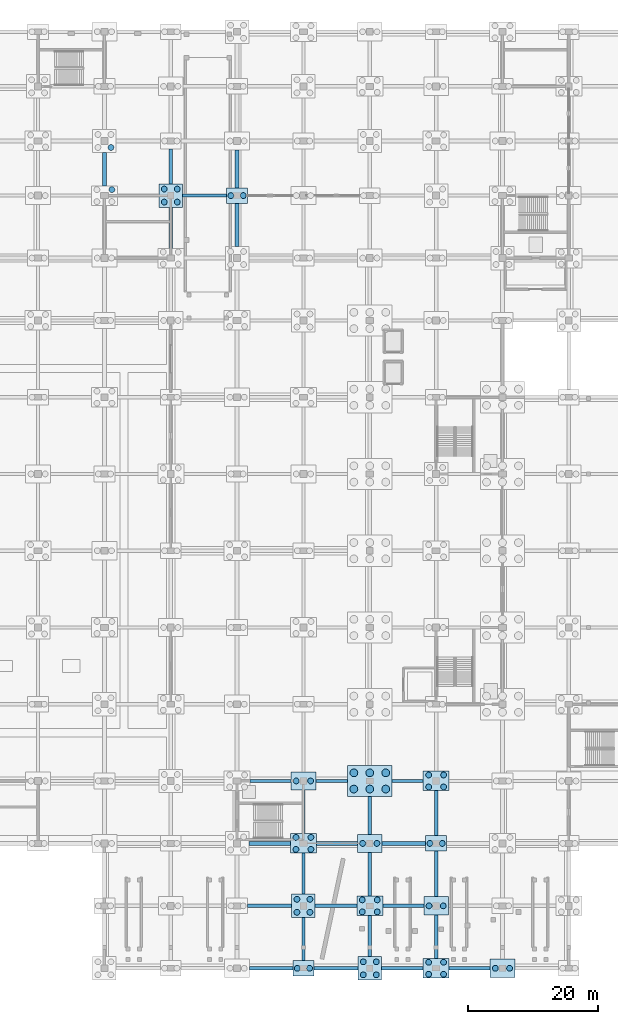
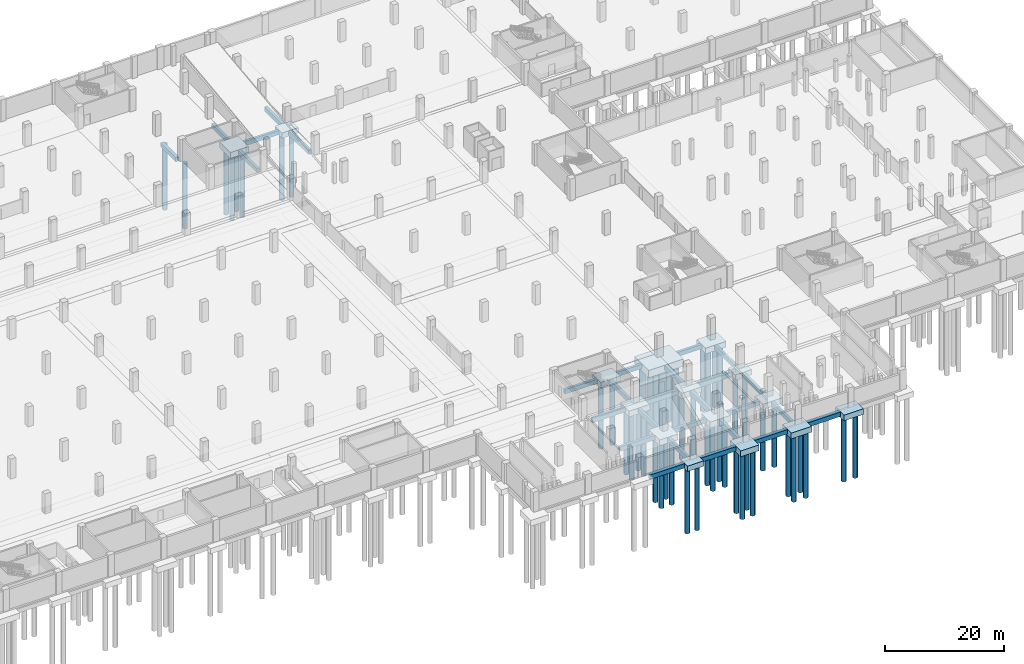
# One storey, part 10 of 52: 50 piles, 43 footings.
"""IFC4 building model written with IfcOpenShell, lengths in metres."""

from ifc_helpers import new_model, si_unit, direction, frame, origin, origin_2d, place, context, subcontext, project, spatial, polyline, rectangle, circle, outline, extrude, material, material_profile, profile_set, type_object, element, save


model = new_model("IFC4")

# Units and contexts
model_context = context("Model", 3, precision=1e-05, world=origin(), true_north=direction((0.0, 1.0)))
body_context = subcontext(model_context, "Body", "Model", "MODEL_VIEW")
ifc_project = project(units=[si_unit("LENGTHUNIT", "METRE"), si_unit("AREAUNIT", "SQUARE_METRE"), si_unit("VOLUMEUNIT", "CUBIC_METRE"), si_unit("PLANEANGLEUNIT", "RADIAN"), si_unit("MASSUNIT", "GRAM", prefix="KILO")], contexts=[model_context])

# Site, building, storey
site_placement = place(None, origin())
site = spatial("IfcSite", under=ifc_project, at=site_placement, CompositionType="ELEMENT")
building_placement = place(site_placement, origin())
building = spatial("IfcBuilding", under=site, at=building_placement, Name="Brelvane Convention Centre", CompositionType="ELEMENT")
storey_placement = place(building_placement, frame((0.0, 0.0, -4.5)))
storey = spatial("IfcBuildingStorey", under=building, at=storey_placement, Name="B1", CompositionType="ELEMENT", Elevation=-4.5)

# Piles
ifc_material_1 = material(Name="Concrete M40", Category="concrete")
ifc_material_profile_1 = material_profile(ifc_material_1, circle(Radius=0.60009765625, at=origin_2d()), Name="PILE D1200")
ifc_profile_set_1 = profile_set([ifc_material_profile_1], Name="Concrete M40")
pile_type_1 = type_object("IfcPileType", Name="Bored Pile PL-1200", PredefinedType="BORED", material=ifc_profile_set_1)
for number, where, z_axis, x_axis, name in (
    (1, (140.35009765625, 27.550048828125, -1.85009765625), (0.0, 0.0, -1.0), (1.0, 0.0, 0.0), "Bored Pile PL-1200 15-D-1"),
    (2, (142.800048828125, 27.550048828125, -1.85009765625), (0.0, 0.0, -1.0), (1.0, 0.0, 0.0), "Bored Pile PL-1200 15-D-2"),
    (3, (145.25, 27.550048828125, -1.85009765625), (0.0, 0.0, -1.0), (1.0, 0.0, 0.0), "Bored Pile PL-1200 15-D-3"),
    (4, (140.35009765625, 30.050048828125, -1.85009765625), (0.0, 0.0, -1.0), (1.0, 0.0, 0.0), "Bored Pile PL-1200 15-D-4"),
    (5, (142.800048828125, 30.050048828125, -1.85009765625), (0.0, 0.0, -1.0), (1.0, 0.0, 0.0), "Bored Pile PL-1200 15-D-5"),
    (6, (145.25, 30.050048828125, -1.85009765625), (0.0, 0.0, -1.0), (1.0, 0.0, 0.0), "Bored Pile PL-1200 15-D-6"),
):
    element("IfcPile", number, at=place(storey_placement, frame(where, z_axis=z_axis, x_axis=x_axis)), inside=storey, type_object=pile_type_1, Name=name, PredefinedType="BORED", context=body_context, shape_type="SweptSolid", body=[
        extrude(circle(Radius=0.60009765625, at=origin_2d()), origin(), (0.0, 0.0, 1.0), 13.14990234375),
    ])
ifc_material_2 = material(Name="Concrete M40", Category="concrete")
ifc_material_profile_2 = material_profile(ifc_material_2, circle(Radius=0.449951171875, at=origin_2d()), Name="PILE D900")
ifc_profile_set_2 = profile_set([ifc_material_profile_2], Name="Concrete M40")
pile_type_2 = type_object("IfcPileType", Name="Bored Pile PL-900", PredefinedType="BORED", material=ifc_profile_set_2)
for number, where, z_axis, x_axis, name in (
    (7, (103.14990234375, 119.719970703125, -1.550048828125), (0.0, 0.0, -1.0), (1.0, 0.0, 0.0), "Bored Pile PL-900 11-M-4"),
    (8, (103.0, 126.199951171875, -1.550048828125), (0.0, 0.0, -1.0), (1.0, 0.0, 0.0), "Bored Pile PL-900 11-N-2"),
    (9, (111.199951171875, 117.800048828125, -1.550048828125), (0.0, 0.0, -1.0), (1.0, 0.0, 0.0), "Bored Pile PL-900 12-M-1"),
    (10, (113.199951171875, 117.800048828125, -1.550048828125), (0.0, 0.0, -1.0), (1.0, 0.0, 0.0), "Bored Pile PL-900 12-M-2"),
    (11, (111.199951171875, 119.800048828125, -1.550048828125), (0.0, 0.0, -1.0), (1.0, 0.0, 0.0), "Bored Pile PL-900 12-M-3"),
    (12, (113.199951171875, 119.800048828125, -1.550048828125), (0.0, 0.0, -1.0), (1.0, 0.0, 0.0), "Bored Pile PL-900 12-M-4"),
):
    element("IfcPile", number, at=place(storey_placement, frame(where, z_axis=z_axis, x_axis=x_axis)), inside=storey, type_object=pile_type_2, Name=name, PredefinedType="BORED", context=body_context, shape_type="SweptSolid", body=[
        extrude(circle(Radius=0.449951171875, at=origin_2d()), origin(), (0.0, 0.0, 1.0), 13.449951171875),
    ])
for number, where, z_axis, x_axis, name in (
    (13, (121.449951171875, 118.800048828125, -1.449951171875), (0.0, 0.0, -1.0), (1.0, 0.0, 0.0), "Bored Pile PL-900 13-M-1"),
    (14, (123.35009765625, 118.800048828125, -1.449951171875), (0.0, 0.0, -1.0), (1.0, 0.0, 0.0), "Bored Pile PL-900 13-M-2"),
    (15, (131.64990234375, 0.0, -1.449951171875), (0.0, 0.0, -1.0), (1.0, 0.0, 0.0), "Bored Pile PL-900 14-A-1"),
    (16, (133.550048828125, 0.0, -1.449951171875), (0.0, 0.0, -1.0), (1.0, 0.0, 0.0), "Bored Pile PL-900 14-A-2"),
):
    element("IfcPile", number, at=place(storey_placement, frame(where, z_axis=z_axis, x_axis=x_axis)), inside=storey, type_object=pile_type_2, Name=name, PredefinedType="BORED", context=body_context, shape_type="SweptSolid", body=[
        extrude(circle(Radius=0.449951171875, at=origin_2d()), origin(), (0.0, 0.0, 1.0), 13.550048828125),
    ])
for number, where, z_axis, x_axis, name in (
    (17, (131.60009765625, 8.60009765625, -1.550048828125), (0.0, 0.0, -1.0), (1.0, 0.0, 0.0), "Bored Pile PL-900 14-B-1"),
    (18, (133.60009765625, 8.60009765625, -1.550048828125), (0.0, 0.0, -1.0), (1.0, 0.0, 0.0), "Bored Pile PL-900 14-B-2"),
    (19, (131.60009765625, 10.60009765625, -1.550048828125), (0.0, 0.0, -1.0), (1.0, 0.0, 0.0), "Bored Pile PL-900 14-B-3"),
    (20, (133.60009765625, 10.60009765625, -1.550048828125), (0.0, 0.0, -1.0), (1.0, 0.0, 0.0), "Bored Pile PL-900 14-B-4"),
    (21, (131.449951171875, 18.280029296875, -1.550048828125), (0.0, 0.0, -1.0), (1.0, 0.0, 0.0), "Bored Pile PL-900 14-C-1"),
    (22, (133.75, 18.280029296875, -1.550048828125), (0.0, 0.0, -1.0), (1.0, 0.0, 0.0), "Bored Pile PL-900 14-C-2"),
    (23, (131.449951171875, 20.1201171875, -1.550048828125), (0.0, 0.0, -1.0), (1.0, 0.0, 0.0), "Bored Pile PL-900 14-C-3"),
    (24, (133.75, 20.1201171875, -1.550048828125), (0.0, 0.0, -1.0), (1.0, 0.0, 0.0), "Bored Pile PL-900 14-C-4"),
):
    element("IfcPile", number, at=place(storey_placement, frame(where, z_axis=z_axis, x_axis=x_axis)), inside=storey, type_object=pile_type_2, Name=name, PredefinedType="BORED", context=body_context, shape_type="SweptSolid", body=[
        extrude(circle(Radius=0.449951171875, at=origin_2d()), origin(), (0.0, 0.0, 1.0), 13.449951171875),
    ])
for number, where, z_axis, x_axis, name in (
    (25, (131.5, 28.800048828125, -1.5), (0.0, 0.0, -1.0), (1.0, 0.0, 0.0), "Bored Pile PL-900 14-D-1"),
    (26, (133.699951171875, 28.800048828125, -1.5), (0.0, 0.0, -1.0), (1.0, 0.0, 0.0), "Bored Pile PL-900 14-D-2"),
):
    element("IfcPile", number, at=place(storey_placement, frame(where, z_axis=z_axis, x_axis=x_axis)), inside=storey, type_object=pile_type_2, Name=name, PredefinedType="BORED", context=body_context, shape_type="SweptSolid", body=[
        extrude(circle(Radius=0.449951171875, at=origin_2d()), origin(), (0.0, 0.0, 1.0), 13.5),
    ])
for number, where, z_axis, x_axis, name in (
    (27, (141.800048828125, -1.0, -1.550048828125), (0.0, 0.0, -1.0), (1.0, 0.0, 0.0), "Bored Pile PL-900 15-A-1"),
    (28, (143.800048828125, -1.0, -1.550048828125), (0.0, 0.0, -1.0), (1.0, 0.0, 0.0), "Bored Pile PL-900 15-A-2"),
    (29, (141.800048828125, 1.0, -1.550048828125), (0.0, 0.0, -1.0), (1.0, 0.0, 0.0), "Bored Pile PL-900 15-A-3"),
    (30, (143.800048828125, 1.0, -1.550048828125), (0.0, 0.0, -1.0), (1.0, 0.0, 0.0), "Bored Pile PL-900 15-A-4"),
    (31, (141.64990234375, 8.679931640625, -1.550048828125), (0.0, 0.0, -1.0), (1.0, 0.0, 0.0), "Bored Pile PL-900 15-B-1"),
    (32, (143.949951171875, 8.679931640625, -1.550048828125), (0.0, 0.0, -1.0), (1.0, 0.0, 0.0), "Bored Pile PL-900 15-B-2"),
    (33, (141.64990234375, 10.52001953125, -1.550048828125), (0.0, 0.0, -1.0), (1.0, 0.0, 0.0), "Bored Pile PL-900 15-B-3"),
    (34, (143.949951171875, 10.52001953125, -1.550048828125), (0.0, 0.0, -1.0), (1.0, 0.0, 0.0), "Bored Pile PL-900 15-B-4"),
):
    element("IfcPile", number, at=place(storey_placement, frame(where, z_axis=z_axis, x_axis=x_axis)), inside=storey, type_object=pile_type_2, Name=name, PredefinedType="BORED", context=body_context, shape_type="SweptSolid", body=[
        extrude(circle(Radius=0.449951171875, at=origin_2d()), origin(), (0.0, 0.0, 1.0), 13.449951171875),
    ])
for number, where, z_axis, x_axis, name in (
    (35, (141.699951171875, 19.199951171875, -1.5), (0.0, 0.0, -1.0), (1.0, 0.0, 0.0), "Bored Pile PL-900 15-C-1"),
    (36, (143.89990234375, 19.199951171875, -1.5), (0.0, 0.0, -1.0), (1.0, 0.0, 0.0), "Bored Pile PL-900 15-C-2"),
):
    element("IfcPile", number, at=place(storey_placement, frame(where, z_axis=z_axis, x_axis=x_axis)), inside=storey, type_object=pile_type_2, Name=name, PredefinedType="BORED", context=body_context, shape_type="SweptSolid", body=[
        extrude(circle(Radius=0.449951171875, at=origin_2d()), origin(), (0.0, 0.0, 1.0), 13.5),
    ])
for number, where, z_axis, x_axis, name in (
    (37, (151.85009765625, -0.919921875, -1.550048828125), (0.0, 0.0, -1.0), (1.0, 0.0, 0.0), "Bored Pile PL-900 16-A-1"),
    (38, (154.14990234375, -0.919921875, -1.550048828125), (0.0, 0.0, -1.0), (1.0, 0.0, 0.0), "Bored Pile PL-900 16-A-2"),
    (39, (151.85009765625, 0.919921875, -1.550048828125), (0.0, 0.0, -1.0), (1.0, 0.0, 0.0), "Bored Pile PL-900 16-A-3"),
    (40, (154.14990234375, 0.919921875, -1.550048828125), (0.0, 0.0, -1.0), (1.0, 0.0, 0.0), "Bored Pile PL-900 16-A-4"),
):
    element("IfcPile", number, at=place(storey_placement, frame(where, z_axis=z_axis, x_axis=x_axis)), inside=storey, type_object=pile_type_2, Name=name, PredefinedType="BORED", context=body_context, shape_type="SweptSolid", body=[
        extrude(circle(Radius=0.449951171875, at=origin_2d()), origin(), (0.0, 0.0, 1.0), 13.449951171875),
    ])
for number, where, z_axis, x_axis, name in (
    (41, (151.89990234375, 9.60009765625, -1.5), (0.0, 0.0, -1.0), (1.0, 0.0, 0.0), "Bored Pile PL-900 16-B-1"),
    (42, (154.10009765625, 9.60009765625, -1.5), (0.0, 0.0, -1.0), (1.0, 0.0, 0.0), "Bored Pile PL-900 16-B-2"),
):
    element("IfcPile", number, at=place(storey_placement, frame(where, z_axis=z_axis, x_axis=x_axis)), inside=storey, type_object=pile_type_2, Name=name, PredefinedType="BORED", context=body_context, shape_type="SweptSolid", body=[
        extrude(circle(Radius=0.449951171875, at=origin_2d()), origin(), (0.0, 0.0, 1.0), 13.5),
    ])
for number, where, z_axis, x_axis, name in (
    (43, (152.050048828125, 19.199951171875, -1.449951171875), (0.0, 0.0, -1.0), (1.0, 0.0, 0.0), "Bored Pile PL-900 16-C-1"),
    (44, (153.949951171875, 19.199951171875, -1.449951171875), (0.0, 0.0, -1.0), (1.0, 0.0, 0.0), "Bored Pile PL-900 16-C-2"),
):
    element("IfcPile", number, at=place(storey_placement, frame(where, z_axis=z_axis, x_axis=x_axis)), inside=storey, type_object=pile_type_2, Name=name, PredefinedType="BORED", context=body_context, shape_type="SweptSolid", body=[
        extrude(circle(Radius=0.449951171875, at=origin_2d()), origin(), (0.0, 0.0, 1.0), 13.550048828125),
    ])
for number, where, z_axis, x_axis, name in (
    (45, (151.85009765625, 27.8798828125, -1.550048828125), (0.0, 0.0, -1.0), (1.0, 0.0, 0.0), "Bored Pile PL-900 16-D-1"),
    (46, (154.14990234375, 27.8798828125, -1.550048828125), (0.0, 0.0, -1.0), (1.0, 0.0, 0.0), "Bored Pile PL-900 16-D-2"),
    (47, (151.85009765625, 29.719970703125, -1.550048828125), (0.0, 0.0, -1.0), (1.0, 0.0, 0.0), "Bored Pile PL-900 16-D-3"),
    (48, (154.14990234375, 29.719970703125, -1.550048828125), (0.0, 0.0, -1.0), (1.0, 0.0, 0.0), "Bored Pile PL-900 16-D-4"),
):
    element("IfcPile", number, at=place(storey_placement, frame(where, z_axis=z_axis, x_axis=x_axis)), inside=storey, type_object=pile_type_2, Name=name, PredefinedType="BORED", context=body_context, shape_type="SweptSolid", body=[
        extrude(circle(Radius=0.449951171875, at=origin_2d()), origin(), (0.0, 0.0, 1.0), 13.449951171875),
    ])
for number, where, z_axis, x_axis, name in (
    (49, (162.10009765625, 0.0, -1.5), (0.0, 0.0, -1.0), (1.0, 0.0, 0.0), "Bored Pile PL-900 17-A-1"),
    (50, (164.300048828125, 0.0, -1.5), (0.0, 0.0, -1.0), (1.0, 0.0, 0.0), "Bored Pile PL-900 17-A-2"),
):
    element("IfcPile", number, at=place(storey_placement, frame(where, z_axis=z_axis, x_axis=x_axis)), inside=storey, type_object=pile_type_2, Name=name, PredefinedType="BORED", context=body_context, shape_type="SweptSolid", body=[
        extrude(circle(Radius=0.449951171875, at=origin_2d()), origin(), (0.0, 0.0, 1.0), 13.5),
    ])

# Footings
ifc_material_3 = material(Name="Concrete M40", Category="concrete")
ifc_material_profile_3 = material_profile(ifc_material_3, rectangle(XDim=0.60009765625, YDim=0.89990234375, at=origin_2d()), Name="RC 600x900")
ifc_profile_set_3 = profile_set([ifc_material_profile_3], Name="Concrete M40")
footing_type_1 = type_object("IfcFootingType", Name="Ground Tie Beam GB-1", PredefinedType="FOOTING_BEAM", material=ifc_profile_set_3)
footing_1_placement = place(storey_placement, frame((102.0, 120.300048828125, -0.89990234375), z_axis=(0.0, 1.0, 0.0), x_axis=(-1.0, 0.0, 0.0)))
element("IfcFooting", 51, at=footing_1_placement, inside=storey, type_object=footing_type_1, Name="Ground Tie Beam GB-1 11/M-N", PredefinedType="FOOTING_BEAM", context=body_context, shape_type="SweptSolid", body=[
    extrude(rectangle(XDim=0.60009765625, YDim=0.89990234375, at=origin_2d()), origin(), (0.0, 0.0, 1.0), 5.099853515625),
])
footing_2_placement = place(storey_placement, frame((124.300048828125, 0.0, -0.89990234375), z_axis=(1.0, 0.0, 0.0), x_axis=(0.0, 1.0, 0.0)))
element("IfcFooting", 52, at=footing_2_placement, inside=storey, type_object=footing_type_1, Name="Ground Tie Beam GB-1 13-14/A", PredefinedType="FOOTING_BEAM", context=body_context, shape_type="SweptSolid", body=[
    extrude(rectangle(XDim=0.60009765625, YDim=0.89990234375, at=origin_2d()), origin(), (0.0, 0.0, 1.0), 6.699951171875),
])
footing_3_placement = place(storey_placement, frame((124.199951171875, 19.199951171875, -0.89990234375), z_axis=(1.0, 0.0, 0.0), x_axis=(0.0, 1.0, 0.0)))
element("IfcFooting", 53, at=footing_3_placement, inside=storey, type_object=footing_type_1, Name="Ground Tie Beam GB-1 13-14/C", PredefinedType="FOOTING_BEAM", context=body_context, shape_type="SweptSolid", body=[
    extrude(rectangle(XDim=0.60009765625, YDim=0.89990234375, at=origin_2d()), origin(), (0.0, 0.0, 1.0), 6.400146484375),
])
footing_4_placement = place(storey_placement, frame((122.39990234375, 111.0, -0.89990234375), z_axis=(0.0, 1.0, 0.0), x_axis=(-1.0, 0.0, 0.0)))
element("IfcFooting", 54, at=footing_4_placement, inside=storey, type_object=footing_type_1, Name="Ground Tie Beam GB-1 13/L-M", PredefinedType="FOOTING_BEAM", context=body_context, shape_type="SweptSolid", body=[
    extrude(rectangle(XDim=0.60009765625, YDim=0.89990234375, at=origin_2d()), origin(), (0.0, 0.0, 1.0), 6.60009765625),
])
footing_5_placement = place(storey_placement, frame((122.39990234375, 120.0, -0.89990234375), z_axis=(0.0, 1.0, 0.0), x_axis=(-1.0, 0.0, 0.0)))
element("IfcFooting", 55, at=footing_5_placement, inside=storey, type_object=footing_type_1, Name="Ground Tie Beam GB-1 13/M-N", PredefinedType="FOOTING_BEAM", context=body_context, shape_type="SweptSolid", body=[
    extrude(rectangle(XDim=0.60009765625, YDim=0.89990234375, at=origin_2d()), origin(), (0.0, 0.0, 1.0), 5.800048828125),
])
footing_6_placement = place(storey_placement, frame((134.199951171875, 0.0, -0.89990234375), z_axis=(1.0, 0.0, 0.0), x_axis=(0.0, 1.0, 0.0)))
element("IfcFooting", 56, at=footing_6_placement, inside=storey, type_object=footing_type_1, Name="Ground Tie Beam GB-1 14-15/A", PredefinedType="FOOTING_BEAM", context=body_context, shape_type="SweptSolid", body=[
    extrude(rectangle(XDim=0.60009765625, YDim=0.89990234375, at=origin_2d()), origin(), (0.0, 0.0, 1.0), 6.800048828125),
])
footing_7_placement = place(storey_placement, frame((134.60009765625, 19.199951171875, -0.89990234375), z_axis=(1.0, 0.0, 0.0), x_axis=(0.0, 1.0, 0.0)))
element("IfcFooting", 57, at=footing_7_placement, inside=storey, type_object=footing_type_1, Name="Ground Tie Beam GB-1 14-15/C", PredefinedType="FOOTING_BEAM", context=body_context, shape_type="SweptSolid", body=[
    extrude(rectangle(XDim=0.60009765625, YDim=0.89990234375, at=origin_2d()), origin(), (0.0, 0.0, 1.0), 6.2998046875),
])
footing_8_placement = place(storey_placement, frame((144.60009765625, 0.0, -0.89990234375), z_axis=(1.0, 0.0, 0.0), x_axis=(0.0, 1.0, 0.0)))
element("IfcFooting", 58, at=footing_8_placement, inside=storey, type_object=footing_type_1, Name="Ground Tie Beam GB-1 15-16/A", PredefinedType="FOOTING_BEAM", context=body_context, shape_type="SweptSolid", body=[
    extrude(rectangle(XDim=0.60009765625, YDim=0.89990234375, at=origin_2d()), origin(), (0.0, 0.0, 1.0), 6.39990234375),
])
footing_9_placement = place(storey_placement, frame((142.800048828125, 1.800048828125, -0.89990234375), z_axis=(0.0, 1.0, 0.0), x_axis=(-1.0, 0.0, 0.0)))
element("IfcFooting", 59, at=footing_9_placement, inside=storey, type_object=footing_type_1, Name="Ground Tie Beam GB-1 15/A-B", PredefinedType="FOOTING_BEAM", context=body_context, shape_type="SweptSolid", body=[
    extrude(rectangle(XDim=0.60009765625, YDim=0.89990234375, at=origin_2d()), origin(), (0.0, 0.0, 1.0), 6.300048828125),
])
for number, where, z_axis, x_axis, name in (
    (60, (142.800048828125, 11.10009765625, -0.89990234375), (0.0, 1.0, 0.0), (-1.0, 0.0, 0.0), "Ground Tie Beam GB-1 15/B-C"),
    (61, (144.699951171875, 19.199951171875, -0.89990234375), (1.0, 0.0, 0.0), (0.0, 1.0, 0.0), "Ground Tie Beam GB-1 15-16/C"),
):
    element("IfcFooting", number, at=place(storey_placement, frame(where, z_axis=z_axis, x_axis=x_axis)), inside=storey, type_object=footing_type_1, Name=name, PredefinedType="FOOTING_BEAM", context=body_context, shape_type="SweptSolid", body=[
        extrude(rectangle(XDim=0.60009765625, YDim=0.89990234375, at=origin_2d()), origin(), (0.0, 0.0, 1.0), 6.699951171875),
    ])
footing_10_placement = place(storey_placement, frame((142.800048828125, 20.60009765625, -0.89990234375), z_axis=(0.0, 1.0, 0.0), x_axis=(-1.0, 0.0, 0.0)))
element("IfcFooting", 62, at=footing_10_placement, inside=storey, type_object=footing_type_1, Name="Ground Tie Beam GB-1 15/C-D", PredefinedType="FOOTING_BEAM", context=body_context, shape_type="SweptSolid", body=[
    extrude(rectangle(XDim=0.60009765625, YDim=0.89990234375, at=origin_2d()), origin(), (0.0, 0.0, 1.0), 5.7998046875),
])
footing_11_placement = place(storey_placement, frame((155.0, 0.0, -0.89990234375), z_axis=(1.0, 0.0, 0.0), x_axis=(0.0, 1.0, 0.0)))
element("IfcFooting", 63, at=footing_11_placement, inside=storey, type_object=footing_type_1, Name="Ground Tie Beam GB-1 16-17/A", PredefinedType="FOOTING_BEAM", context=body_context, shape_type="SweptSolid", body=[
    extrude(rectangle(XDim=0.60009765625, YDim=0.89990234375, at=origin_2d()), origin(), (0.0, 0.0, 1.0), 6.300048828125),
])
ifc_material_4 = material(Name="Concrete M40", Category="concrete")
ifc_material_profile_4 = material_profile(ifc_material_4, rectangle(XDim=0.5, YDim=0.89990234375, at=origin_2d()), Name="RC 500x900")
ifc_profile_set_4 = profile_set([ifc_material_profile_4], Name="Concrete M40")
footing_type_2 = type_object("IfcFootingType", Name="Ground Tie Beam GB-2", PredefinedType="FOOTING_BEAM", material=ifc_profile_set_4)
footing_12_placement = place(storey_placement, frame((112.199951171875, 110.699951171875, -0.89990234375), z_axis=(0.0, 1.0, 0.0), x_axis=(-1.0, 0.0, 0.0)))
element("IfcFooting", 64, at=footing_12_placement, inside=storey, type_object=footing_type_2, Name="Ground Tie Beam GB-2 12/L-M", PredefinedType="FOOTING_BEAM", context=body_context, shape_type="SweptSolid", body=[
    extrude(rectangle(XDim=0.5, YDim=0.89990234375, at=origin_2d()), origin(), (0.0, 0.0, 1.0), 6.300048828125),
])
footing_13_placement = place(storey_placement, frame((114.0, 118.800048828125, -0.89990234375), z_axis=(1.0, 0.0, 0.0), x_axis=(0.0, 1.0, 0.0)))
element("IfcFooting", 65, at=footing_13_placement, inside=storey, type_object=footing_type_2, Name="Ground Tie Beam GB-2 12-13/M", PredefinedType="FOOTING_BEAM", context=body_context, shape_type="SweptSolid", body=[
    extrude(rectangle(XDim=0.5, YDim=0.89990234375, at=origin_2d()), origin(), (0.0, 0.0, 1.0), 6.800048828125),
])
footing_14_placement = place(storey_placement, frame((112.199951171875, 120.60009765625, -0.89990234375), z_axis=(0.0, 1.0, 0.0), x_axis=(-1.0, 0.0, 0.0)))
element("IfcFooting", 66, at=footing_14_placement, inside=storey, type_object=footing_type_2, Name="Ground Tie Beam GB-2 12/M-N", PredefinedType="FOOTING_BEAM", context=body_context, shape_type="SweptSolid", body=[
    extrude(rectangle(XDim=0.5, YDim=0.89990234375, at=origin_2d()), origin(), (0.0, 0.0, 1.0), 5.39990234375),
])
footing_15_placement = place(storey_placement, frame((124.0, 9.60009765625, -0.89990234375), z_axis=(1.0, 0.0, 0.0), x_axis=(0.0, 1.0, 0.0)))
element("IfcFooting", 67, at=footing_15_placement, inside=storey, type_object=footing_type_2, Name="Ground Tie Beam GB-2 13-14/B", PredefinedType="FOOTING_BEAM", context=body_context, shape_type="SweptSolid", body=[
    extrude(rectangle(XDim=0.5, YDim=0.89990234375, at=origin_2d()), origin(), (0.0, 0.0, 1.0), 6.800048828125),
])
footing_16_placement = place(storey_placement, frame((124.39990234375, 28.800048828125, -0.89990234375), z_axis=(1.0, 0.0, 0.0), x_axis=(0.0, 1.0, 0.0)))
element("IfcFooting", 68, at=footing_16_placement, inside=storey, type_object=footing_type_2, Name="Ground Tie Beam GB-2 13-14/D", PredefinedType="FOOTING_BEAM", context=body_context, shape_type="SweptSolid", body=[
    extrude(rectangle(XDim=0.5, YDim=0.89990234375, at=origin_2d()), origin(), (0.0, 0.0, 1.0), 6.300048828125),
])
footing_17_placement = place(storey_placement, frame((132.60009765625, 1.199951171875, -0.89990234375), z_axis=(0.0, 1.0, 0.0), x_axis=(-1.0, 0.0, 0.0)))
element("IfcFooting", 69, at=footing_17_placement, inside=storey, type_object=footing_type_2, Name="Ground Tie Beam GB-2 14/A-B", PredefinedType="FOOTING_BEAM", context=body_context, shape_type="SweptSolid", body=[
    extrude(rectangle(XDim=0.5, YDim=0.89990234375, at=origin_2d()), origin(), (0.0, 0.0, 1.0), 6.60009765625),
])
footing_18_placement = place(storey_placement, frame((134.39990234375, 9.60009765625, -0.89990234375), z_axis=(1.0, 0.0, 0.0), x_axis=(0.0, 1.0, 0.0)))
element("IfcFooting", 70, at=footing_18_placement, inside=storey, type_object=footing_type_2, Name="Ground Tie Beam GB-2 14-15/B", PredefinedType="FOOTING_BEAM", context=body_context, shape_type="SweptSolid", body=[
    extrude(rectangle(XDim=0.5, YDim=0.89990234375, at=origin_2d()), origin(), (0.0, 0.0, 1.0), 6.400146484375),
])
footing_19_placement = place(storey_placement, frame((132.60009765625, 11.39990234375, -0.89990234375), z_axis=(0.0, 1.0, 0.0), x_axis=(-1.0, 0.0, 0.0)))
element("IfcFooting", 71, at=footing_19_placement, inside=storey, type_object=footing_type_2, Name="Ground Tie Beam GB-2 14/B-C", PredefinedType="FOOTING_BEAM", context=body_context, shape_type="SweptSolid", body=[
    extrude(rectangle(XDim=0.5, YDim=0.89990234375, at=origin_2d()), origin(), (0.0, 0.0, 1.0), 6.300048828125),
])
footing_20_placement = place(storey_placement, frame((132.60009765625, 20.699951171875, -0.89990234375), z_axis=(0.0, 1.0, 0.0), x_axis=(-1.0, 0.0, 0.0)))
element("IfcFooting", 72, at=footing_20_placement, inside=storey, type_object=footing_type_2, Name="Ground Tie Beam GB-2 14/C-D", PredefinedType="FOOTING_BEAM", context=body_context, shape_type="SweptSolid", body=[
    extrude(rectangle(XDim=0.5, YDim=0.89990234375, at=origin_2d()), origin(), (0.0, 0.0, 1.0), 6.699951171875),
])
footing_21_placement = place(storey_placement, frame((134.5, 28.800048828125, -0.89990234375), z_axis=(1.0, 0.0, 0.0), x_axis=(0.0, 1.0, 0.0)))
element("IfcFooting", 73, at=footing_21_placement, inside=storey, type_object=footing_type_2, Name="Ground Tie Beam GB-2 14-15/D", PredefinedType="FOOTING_BEAM", context=body_context, shape_type="SweptSolid", body=[
    extrude(rectangle(XDim=0.5, YDim=0.89990234375, at=origin_2d()), origin(), (0.0, 0.0, 1.0), 4.89990234375),
])
footing_22_placement = place(storey_placement, frame((144.800048828125, 9.60009765625, -0.89990234375), z_axis=(1.0, 0.0, 0.0), x_axis=(0.0, 1.0, 0.0)))
element("IfcFooting", 74, at=footing_22_placement, inside=storey, type_object=footing_type_2, Name="Ground Tie Beam GB-2 15-16/B", PredefinedType="FOOTING_BEAM", context=body_context, shape_type="SweptSolid", body=[
    extrude(rectangle(XDim=0.5, YDim=0.89990234375, at=origin_2d()), origin(), (0.0, 0.0, 1.0), 6.300048828125),
])
footing_23_placement = place(storey_placement, frame((146.199951171875, 28.800048828125, -0.89990234375), z_axis=(1.0, 0.0, 0.0), x_axis=(0.0, 1.0, 0.0)))
element("IfcFooting", 75, at=footing_23_placement, inside=storey, type_object=footing_type_2, Name="Ground Tie Beam GB-2 15-16/D", PredefinedType="FOOTING_BEAM", context=body_context, shape_type="SweptSolid", body=[
    extrude(rectangle(XDim=0.5, YDim=0.89990234375, at=origin_2d()), origin(), (0.0, 0.0, 1.0), 4.800048828125),
])
footing_24_placement = place(storey_placement, frame((153.0, 1.5, -0.89990234375), z_axis=(0.0, 1.0, 0.0), x_axis=(-1.0, 0.0, 0.0)))
element("IfcFooting", 76, at=footing_24_placement, inside=storey, type_object=footing_type_2, Name="Ground Tie Beam GB-2 16/A-B", PredefinedType="FOOTING_BEAM", context=body_context, shape_type="SweptSolid", body=[
    extrude(rectangle(XDim=0.5, YDim=0.89990234375, at=origin_2d()), origin(), (0.0, 0.0, 1.0), 6.699951171875),
])
footing_25_placement = place(storey_placement, frame((153.0, 11.0, -0.89990234375), z_axis=(0.0, 1.0, 0.0), x_axis=(-1.0, 0.0, 0.0)))
element("IfcFooting", 77, at=footing_25_placement, inside=storey, type_object=footing_type_2, Name="Ground Tie Beam GB-2 16/B-C", PredefinedType="FOOTING_BEAM", context=body_context, shape_type="SweptSolid", body=[
    extrude(rectangle(XDim=0.5, YDim=0.89990234375, at=origin_2d()), origin(), (0.0, 0.0, 1.0), 7.0),
])
footing_26_placement = place(storey_placement, frame((153.0, 20.39990234375, -0.89990234375), z_axis=(0.0, 1.0, 0.0), x_axis=(-1.0, 0.0, 0.0)))
element("IfcFooting", 78, at=footing_26_placement, inside=storey, type_object=footing_type_2, Name="Ground Tie Beam GB-2 16/C-D", PredefinedType="FOOTING_BEAM", context=body_context, shape_type="SweptSolid", body=[
    extrude(rectangle(XDim=0.5, YDim=0.89990234375, at=origin_2d()), origin(), (0.0, 0.0, 1.0), 6.900146484375),
])
ifc_material_5 = material(Name="Concrete M40", Category="concrete")
footing_type_3 = type_object("IfcFootingType", Name="Pile Cap PC-2", PredefinedType="PILE_CAP", material=ifc_material_5)
footing_27_placement = place(storey_placement, frame((0.0, 0.0, -1.550048828125)))
element("IfcFooting", 79, at=footing_27_placement, inside=storey, type_object=footing_type_3, Name="Pile Cap PC-2 at 13-M", PredefinedType="PILE_CAP", context=body_context, shape_type="SweptSolid", body=[
    extrude(outline(polyline([(120.800048828125, 117.60009765625), (124.0, 117.60009765625), (124.0, 120.0), (120.800048828125, 120.0), (120.800048828125, 117.60009765625)])), origin(), (0.0, 0.0, 1.0), 1.10009765625),
])
footing_28_placement = place(storey_placement, frame((0.0, 0.0, -1.550048828125)))
element("IfcFooting", 80, at=footing_28_placement, inside=storey, type_object=footing_type_3, Name="Pile Cap PC-2 at 14-A", PredefinedType="PILE_CAP", context=body_context, shape_type="SweptSolid", body=[
    extrude(outline(polyline([(131.0, -1.199951171875), (134.199951171875, -1.199951171875), (134.199951171875, 1.199951171875), (131.0, 1.199951171875), (131.0, -1.199951171875)])), origin(), (0.0, 0.0, 1.0), 1.10009765625),
])
footing_29_placement = place(storey_placement, frame((0.0, 0.0, -1.550048828125)))
element("IfcFooting", 81, at=footing_29_placement, inside=storey, type_object=footing_type_3, Name="Pile Cap PC-2 at 16-C", PredefinedType="PILE_CAP", context=body_context, shape_type="SweptSolid", body=[
    extrude(outline(polyline([(151.39990234375, 18.0), (154.60009765625, 18.0), (154.60009765625, 20.39990234375), (151.39990234375, 20.39990234375), (151.39990234375, 18.0)])), origin(), (0.0, 0.0, 1.0), 1.10009765625),
])
ifc_material_6 = material(Name="Concrete M40", Category="concrete")
footing_type_4 = type_object("IfcFootingType", Name="Pile Cap PC-3", PredefinedType="PILE_CAP", material=ifc_material_6)
footing_30_placement = place(storey_placement, frame((0.0, 0.0, -1.64990234375)))
element("IfcFooting", 82, at=footing_30_placement, inside=storey, type_object=footing_type_4, Name="Pile Cap PC-3 at 12-M", PredefinedType="PILE_CAP", context=body_context, shape_type="SweptSolid", body=[
    extrude(outline(polyline([(110.39990234375, 117.0), (114.0, 117.0), (114.0, 120.60009765625), (110.39990234375, 120.60009765625), (110.39990234375, 117.0)])), origin(), (0.0, 0.0, 1.0), 1.199951171875),
])
footing_31_placement = place(storey_placement, frame((0.0, 0.0, -1.64990234375)))
element("IfcFooting", 83, at=footing_31_placement, inside=storey, type_object=footing_type_4, Name="Pile Cap PC-3 at 14-B", PredefinedType="PILE_CAP", context=body_context, shape_type="SweptSolid", body=[
    extrude(outline(polyline([(130.800048828125, 7.800048828125), (134.39990234375, 7.800048828125), (134.39990234375, 11.39990234375), (130.800048828125, 11.39990234375), (130.800048828125, 7.800048828125)])), origin(), (0.0, 0.0, 1.0), 1.199951171875),
])
footing_32_placement = place(storey_placement, frame((0.0, 0.0, -1.64990234375)))
element("IfcFooting", 84, at=footing_32_placement, inside=storey, type_object=footing_type_4, Name="Pile Cap PC-3 at 15-A", PredefinedType="PILE_CAP", context=body_context, shape_type="SweptSolid", body=[
    extrude(outline(polyline([(141.0, -1.800048828125), (144.60009765625, -1.800048828125), (144.60009765625, 1.800048828125), (141.0, 1.800048828125), (141.0, -1.800048828125)])), origin(), (0.0, 0.0, 1.0), 1.199951171875),
])
ifc_material_7 = material(Name="Concrete M40", Category="concrete")
footing_type_5 = type_object("IfcFootingType", Name="Pile Cap PC-4", PredefinedType="PILE_CAP", material=ifc_material_7)
footing_33_placement = place(storey_placement, frame((0.0, 0.0, -1.64990234375)))
element("IfcFooting", 85, at=footing_33_placement, inside=storey, type_object=footing_type_5, Name="Pile Cap PC-4 at 14-C", PredefinedType="PILE_CAP", context=body_context, shape_type="SweptSolid", body=[
    extrude(outline(polyline([(130.60009765625, 17.699951171875), (134.60009765625, 17.699951171875), (134.60009765625, 20.699951171875), (130.60009765625, 20.699951171875), (130.60009765625, 17.699951171875)])), origin(), (0.0, 0.0, 1.0), 1.199951171875),
])
footing_34_placement = place(storey_placement, frame((0.0, 0.0, -1.64990234375)))
element("IfcFooting", 86, at=footing_34_placement, inside=storey, type_object=footing_type_5, Name="Pile Cap PC-4 at 15-B", PredefinedType="PILE_CAP", context=body_context, shape_type="SweptSolid", body=[
    extrude(outline(polyline([(140.800048828125, 8.10009765625), (144.800048828125, 8.10009765625), (144.800048828125, 11.10009765625), (140.800048828125, 11.10009765625), (140.800048828125, 8.10009765625)])), origin(), (0.0, 0.0, 1.0), 1.199951171875),
])
footing_35_placement = place(storey_placement, frame((0.0, 0.0, -1.64990234375)))
element("IfcFooting", 87, at=footing_35_placement, inside=storey, type_object=footing_type_5, Name="Pile Cap PC-4 at 16-A", PredefinedType="PILE_CAP", context=body_context, shape_type="SweptSolid", body=[
    extrude(outline(polyline([(151.0, -1.5), (155.0, -1.5), (155.0, 1.5), (151.0, 1.5), (151.0, -1.5)])), origin(), (0.0, 0.0, 1.0), 1.199951171875),
])
footing_36_placement = place(storey_placement, frame((0.0, 0.0, -1.64990234375)))
element("IfcFooting", 88, at=footing_36_placement, inside=storey, type_object=footing_type_5, Name="Pile Cap PC-4 at 16-D", PredefinedType="PILE_CAP", context=body_context, shape_type="SweptSolid", body=[
    extrude(outline(polyline([(151.0, 27.300048828125), (155.0, 27.300048828125), (155.0, 30.300048828125), (151.0, 30.300048828125), (151.0, 27.300048828125)])), origin(), (0.0, 0.0, 1.0), 1.199951171875),
])
ifc_material_8 = material(Name="Concrete M40", Category="concrete")
footing_type_6 = type_object("IfcFootingType", Name="Pile Cap PC-8", PredefinedType="PILE_CAP", material=ifc_material_8)
footing_37_placement = place(storey_placement, frame((0.0, 0.0, -1.949951171875)))
element("IfcFooting", 89, at=footing_37_placement, inside=storey, type_object=footing_type_6, Name="Pile Cap PC-8 at 15-D", PredefinedType="PILE_CAP", context=body_context, shape_type="SweptSolid", body=[
    extrude(outline(polyline([(139.39990234375, 26.39990234375), (146.199951171875, 26.39990234375), (146.199951171875, 31.199951171875), (139.39990234375, 31.199951171875), (139.39990234375, 26.39990234375)])), origin(), (0.0, 0.0, 1.0), 1.5),
])
ifc_material_9 = material(Name="Concrete M40", Category="concrete")
footing_type_7 = type_object("IfcFootingType", Name="Pile Cap PC-9", PredefinedType="PILE_CAP", material=ifc_material_9)
footing_38_placement = place(storey_placement, frame((0.0, 0.0, -1.60009765625)))
element("IfcFooting", 90, at=footing_38_placement, inside=storey, type_object=footing_type_7, Name="Pile Cap PC-9 at 14-D", PredefinedType="PILE_CAP", context=body_context, shape_type="SweptSolid", body=[
    extrude(outline(polyline([(130.699951171875, 27.39990234375), (134.5, 27.39990234375), (134.5, 30.199951171875), (130.699951171875, 30.199951171875), (130.699951171875, 27.39990234375)])), origin(), (0.0, 0.0, 1.0), 1.150146484375),
])
footing_39_placement = place(storey_placement, frame((0.0, 0.0, -1.60009765625)))
element("IfcFooting", 91, at=footing_39_placement, inside=storey, type_object=footing_type_7, Name="Pile Cap PC-9 at 15-C", PredefinedType="PILE_CAP", context=body_context, shape_type="SweptSolid", body=[
    extrude(outline(polyline([(140.89990234375, 17.800048828125), (144.699951171875, 17.800048828125), (144.699951171875, 20.60009765625), (140.89990234375, 20.60009765625), (140.89990234375, 17.800048828125)])), origin(), (0.0, 0.0, 1.0), 1.150146484375),
])
footing_40_placement = place(storey_placement, frame((0.0, 0.0, -1.60009765625)))
element("IfcFooting", 92, at=footing_40_placement, inside=storey, type_object=footing_type_7, Name="Pile Cap PC-9 at 16-B", PredefinedType="PILE_CAP", context=body_context, shape_type="SweptSolid", body=[
    extrude(outline(polyline([(151.10009765625, 8.199951171875), (154.89990234375, 8.199951171875), (154.89990234375, 11.0), (151.10009765625, 11.0), (151.10009765625, 8.199951171875)])), origin(), (0.0, 0.0, 1.0), 1.150146484375),
])
footing_41_placement = place(storey_placement, frame((0.0, 0.0, -1.60009765625)))
element("IfcFooting", 93, at=footing_41_placement, inside=storey, type_object=footing_type_7, Name="Pile Cap PC-9 at 17-A", PredefinedType="PILE_CAP", context=body_context, shape_type="SweptSolid", body=[
    extrude(outline(polyline([(161.300048828125, -1.39990234375), (165.10009765625, -1.39990234375), (165.10009765625, 1.39990234375), (161.300048828125, 1.39990234375), (161.300048828125, -1.39990234375)])), origin(), (0.0, 0.0, 1.0), 1.150146484375),
])

save(model, "model.ifc")
